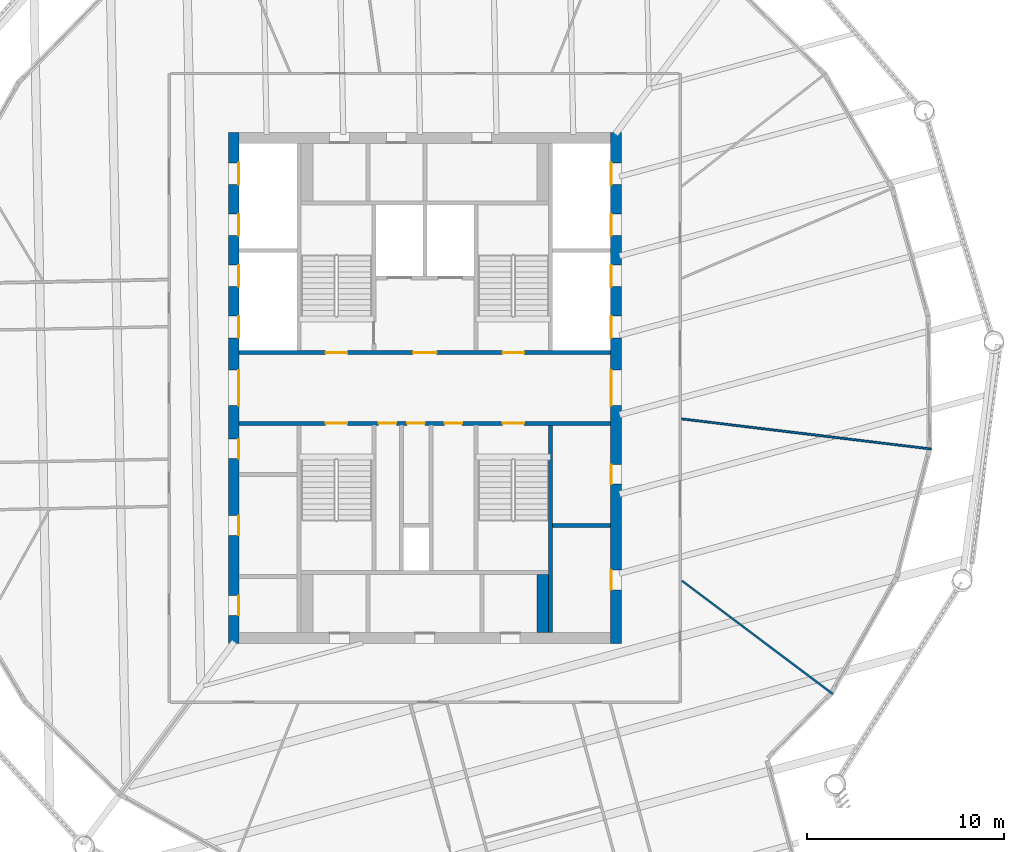
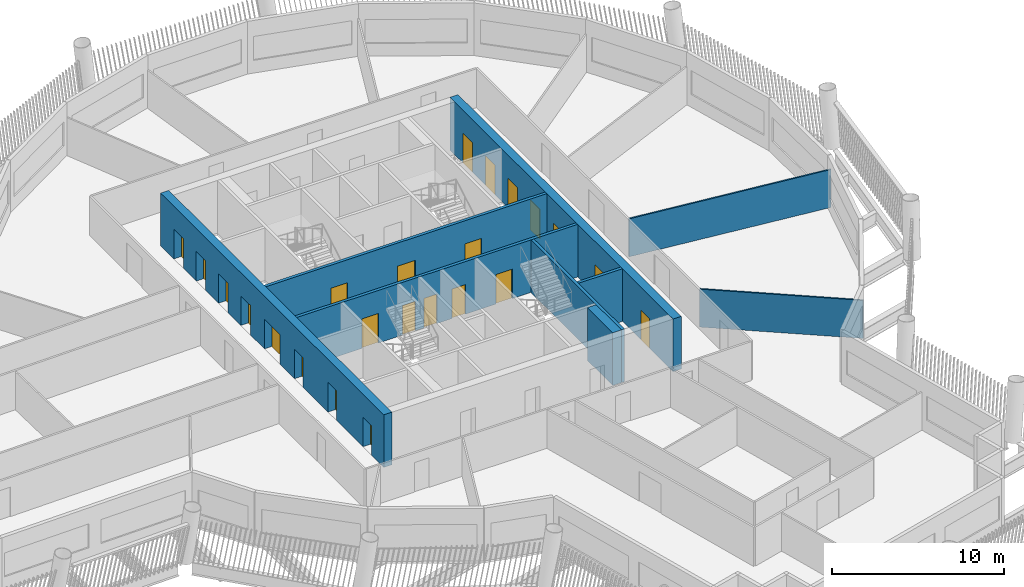
# One storey, part 5 of 15: 23 doors, 9 walls, 23 openings.
"""IFC4 building model written with IfcOpenShell, lengths in metres."""

import ifcopenshell
import ifcopenshell.guid

model = None  # the IFC model being written
_history = None  # IfcOwnerHistory: only IFC2X3 demands one
_inside = {}  # id of a spatial element -> (the spatial element, [elements in it])
_under = {}  # id of a project, library or spatial element -> (it, [spatial elements below it])
_declared = {}  # id of a project -> (the project, [libraries it declares])
_typed = {}  # id of a type object -> (the type object, [elements of that type])
_made_of = {}  # id of a material, layer set ... -> (it, [elements and type objects made of it])


def new_model(schema):
    """Start an empty IFC model of exactly this schema.

    Asked for "IFC4X3", IfcOpenShell would pick the latest addendum, in which some entities
    have other attributes; the version numbers below select the first issue.
    IFC2X3 requires an IfcOwnerHistory on every rooted entity: one is made here for all.
    """
    global model, _history
    if schema == "IFC4X3":
        model = ifcopenshell.file(schema_version=(4, 3, 0, 0))
    else:
        model = ifcopenshell.file(schema=schema)
    _inside.clear()
    _under.clear()
    _declared.clear()
    _typed.clear()
    _made_of.clear()
    _history = None
    if model.schema == "IFC2X3":
        org = make("IfcOrganization", Name="unknown")
        user = make(
            "IfcPersonAndOrganization",
            ThePerson=make("IfcPerson", FamilyName="unknown"),
            TheOrganization=org,
        )
        app = make(
            "IfcApplication",
            ApplicationDeveloper=org,
            Version="unknown",
            ApplicationFullName="unknown",
            ApplicationIdentifier="unknown",
        )
        _history = make(
            "IfcOwnerHistory",
            OwningUser=user,
            OwningApplication=app,
            ChangeAction="ADDED",
            CreationDate=0,
        )
    return model


def make(cls, **values):
    """One entity of the class cls with the attributes given. An attribute that is None is left unset."""
    return model.create_entity(
        cls, **{name: value for name, value in values.items() if value is not None}
    )


def rooted(cls, **values):
    """An entity with a GlobalId (a new one), such as an element, a storey or a relation."""
    return make(cls, GlobalId=ifcopenshell.guid.new(), OwnerHistory=_history, **values)


def si_unit(unit_type, name, prefix=None):
    """IfcSIUnit, for example si_unit("LENGTHUNIT", "METRE", prefix="MILLI")."""
    return make("IfcSIUnit", UnitType=unit_type, Prefix=prefix, Name=name)


def assignment(units):
    """IfcUnitAssignment: the units of a project."""
    return None if units is None else make("IfcUnitAssignment", Units=units)


def point(xyz):
    """IfcCartesianPoint."""
    return None if xyz is None else make("IfcCartesianPoint", Coordinates=xyz)


def direction(xyz):
    """IfcDirection."""
    return None if xyz is None else make("IfcDirection", DirectionRatios=xyz)


def frame(location, z_axis=None, x_axis=None):
    """IfcAxis2Placement3D, a coordinate frame: its origin and axes. An axis left out is left unset."""
    return make(
        "IfcAxis2Placement3D",
        Location=point(location),
        Axis=direction(z_axis),
        RefDirection=direction(x_axis),
    )


def frame_2d(location, x_axis=None):
    """IfcAxis2Placement2D, a coordinate frame in the plane: its origin and x axis."""
    return make(
        "IfcAxis2Placement2D", Location=point(location), RefDirection=direction(x_axis)
    )


def origin():
    """The frame at (0, 0, 0) with its axes left unset."""
    return frame((0.0, 0.0, 0.0))


def place(relative_to, where):
    """IfcLocalPlacement: puts the frame where relative to a parent placement (None: the world)."""
    return make(
        "IfcLocalPlacement", PlacementRelTo=relative_to, RelativePlacement=where
    )


def context(
    kind, dimensions, precision=None, world=None, true_north=None, identifier=None
):
    """IfcGeometricRepresentationContext, for example the 3D "Model" context."""
    return make(
        "IfcGeometricRepresentationContext",
        ContextIdentifier=identifier,
        ContextType=kind,
        CoordinateSpaceDimension=dimensions,
        Precision=precision,
        WorldCoordinateSystem=world,
        TrueNorth=true_north,
    )


def subcontext(parent, identifier, kind, view, scale=None):
    """IfcGeometricRepresentationSubContext, for example "Body" below "Model"."""
    return make(
        "IfcGeometricRepresentationSubContext",
        ContextIdentifier=identifier,
        ContextType=kind,
        ParentContext=parent,
        TargetScale=scale,
        TargetView=view,
    )


def project(units=None, contexts=None):
    """IfcProject with its units and contexts."""
    return rooted(
        "IfcProject",
        Name="project",
        RepresentationContexts=contexts,
        UnitsInContext=assignment(units),
    )


def spatial(cls, under=None, at=None, **own):
    """A site, building, storey or space (cls), placed at a placement, below another one or the project."""
    s = rooted(cls, ObjectPlacement=at, **own)
    if under is not None:
        _under.setdefault(under.id(), (under, []))[1].append(s)
    return s


def profile(cls, at=None, kind="AREA", **sizes):
    """A parametric profile (cls). Its sizes go by their IFC names, for example OverallWidth=200.0."""
    return make(cls, ProfileType=kind, Position=at, **sizes)


def rectangle(**sizes):
    """IfcRectangleProfileDef."""
    return profile("IfcRectangleProfileDef", **sizes)


def extrude(swept, where, along, depth):
    """IfcExtrudedAreaSolid: the profile swept, set in the frame where, extruded along a direction by depth."""
    return make(
        "IfcExtrudedAreaSolid",
        SweptArea=swept,
        Position=where,
        ExtrudedDirection=direction(along),
        Depth=depth,
    )


def shape(context_of_items, identifier, shape_type, items):
    """IfcShapeRepresentation: the items that make up one representation, for example the "Body"."""
    return make(
        "IfcShapeRepresentation",
        ContextOfItems=context_of_items,
        RepresentationIdentifier=identifier,
        RepresentationType=shape_type,
        Items=items,
    )


def material(Name=None, Category=None):
    """IfcMaterial."""
    return make("IfcMaterial", Name=Name, Category=Category)


def layer(
    of_material, thickness, ventilated=None, Name=None, Category=None, Priority=None
):
    """IfcMaterialLayer: one layer of a wall or slab, of a material (None: an air gap)."""
    return make(
        "IfcMaterialLayer",
        Material=of_material,
        LayerThickness=thickness,
        IsVentilated=ventilated,
        Name=Name,
        Category=Category,
        Priority=Priority,
    )


def layer_set(layers, Name=None):
    """IfcMaterialLayerSet."""
    return make("IfcMaterialLayerSet", MaterialLayers=layers, LayerSetName=Name)


def made_of(thing, what):
    """Note that an element or type object is made of a material, layer set ...; save() writes the relation."""
    if what is not None:
        _made_of.setdefault(what.id(), (what, []))[1].append(thing)
    return thing


def type_object(cls, material=None, **own):
    """A type object (cls), such as IfcWallType, which elements share."""
    return made_of(rooted(cls, **own), material)


def element(
    cls,
    number,
    at=None,
    inside=None,
    cuts=None,
    type_object=None,
    material=None,
    context=None,
    identifier="Body",
    shape_type=None,
    held_by="IfcProductDefinitionShape",
    body=None,
    shapes=None,
    **own,
):
    """One element of the class cls, such as IfcWall. Its Tag is "e" and its number.

    at: its placement. inside: the storey or other place that contains it. cuts: it is an
    opening in that element (IfcRelVoidsElement). A single representation is given by context,
    identifier, shape_type and body (its items); several are given by shapes. held_by: the class
    of the entity that holds the representations. save() writes the other relations.
    """
    e = rooted(cls, Tag="e%d" % number, ObjectPlacement=at, **own)
    if body is not None:
        shapes = [shape(context, identifier, shape_type, body)]
    if shapes is not None:
        e.Representation = make(held_by, Representations=shapes)
    if inside is not None:
        _inside.setdefault(inside.id(), (inside, []))[1].append(e)
    if cuts is not None:
        rooted(
            "IfcRelVoidsElement", RelatingBuildingElement=cuts, RelatedOpeningElement=e
        )
    if type_object is not None:
        _typed.setdefault(type_object.id(), (type_object, []))[1].append(e)
    return made_of(e, material)


def fill(opening, filler):
    """IfcRelFillsElement: the door or window that sits in an opening."""
    return rooted(
        "IfcRelFillsElement",
        RelatingOpeningElement=opening,
        RelatedBuildingElement=filler,
    )


def aggregate(whole, parts):
    """IfcRelAggregates: a whole, such as a stair, and the parts it consists of."""
    return rooted("IfcRelAggregates", RelatingObject=whole, RelatedObjects=parts)


def save(model, path):
    """Write the relations noted so far, then the file.

    IfcRelAggregates (storeys below a building ...), IfcRelContainedInSpatialStructure (elements
    in a storey), IfcRelDefinesByType, IfcRelAssociatesMaterial and IfcRelDeclares: one each for
    every whole, place, type object, material and project.
    """
    for whole, parts in _under.values():
        aggregate(whole, parts)
    for where, things in _inside.values():
        rooted(
            "IfcRelContainedInSpatialStructure",
            RelatedElements=things,
            RelatingStructure=where,
        )
    for kind, things in _typed.values():
        rooted("IfcRelDefinesByType", RelatedObjects=things, RelatingType=kind)
    for what, things in _made_of.values():
        rooted("IfcRelAssociatesMaterial", RelatedObjects=things, RelatingMaterial=what)
    for by, libraries in _declared.values():
        rooted("IfcRelDeclares", RelatingContext=by, RelatedDefinitions=libraries)
    model.write(path)


model = new_model("IFC4")

# Units and contexts
model_context = context("Model", 3, precision=1e-05, world=origin(), true_north=direction((0.0, 1.0)))
body_context = subcontext(model_context, "Body", "Model", "MODEL_VIEW")
ifc_project = project(units=[si_unit("LENGTHUNIT", "METRE"), si_unit("AREAUNIT", "SQUARE_METRE"), si_unit("VOLUMEUNIT", "CUBIC_METRE"), si_unit("PLANEANGLEUNIT", "RADIAN"), si_unit("MASSUNIT", "GRAM", prefix="KILO")], contexts=[model_context])

# Site, building, storey
site_placement = place(None, origin())
site = spatial("IfcSite", under=ifc_project, at=site_placement, CompositionType="ELEMENT")
building_placement = place(site_placement, origin())
building = spatial("IfcBuilding", under=site, at=building_placement, Name="Tarsis Ring Headquarters", CompositionType="ELEMENT")
storey_placement = place(building_placement, frame((0.0, 0.0, 290.300048828125)))
storey = spatial("IfcBuildingStorey", under=building, at=storey_placement, Name="L68", CompositionType="ELEMENT", Elevation=290.300048828125)

# Wall
ifc_material_1 = material(Name="Blockwork", Category="masonry")
ifc_layer_1 = layer(ifc_material_1, 0.199951171875)
ifc_layer_set_1 = layer_set([ifc_layer_1], Name="Core blockwork wall 200")
wall_type_1 = type_object("IfcWallType", Name="Core blockwork wall 200", PredefinedType="PARTITIONING", material=ifc_layer_set_1)
wall_1_placement = place(storey_placement, frame((6.5, -7.0, 0.0), z_axis=(0.0, 0.0, 1.0), x_axis=(1.0, 0.0, 0.0)))
element("IfcWall", 1, at=wall_1_placement, inside=storey, type_object=wall_type_1, Name="Core partition ED2", PredefinedType="PARTITIONING", context=body_context, shape_type="SweptSolid", body=[
    extrude(rectangle(XDim=2.949951171875, YDim=0.199951171875, at=frame_2d((1.47509765625, 0.0))), origin(), (0.0, 0.0, 1.0), 3.739990234375),
])

# Wall, openings, doors
ifc_material_2 = material(Name="Concrete C50/60", Category="concrete")
ifc_layer_2 = layer(ifc_material_2, 0.550048828125)
ifc_layer_set_2 = layer_set([ifc_layer_2], Name="Core wall 550 C50/60")
wall_type_2 = type_object("IfcWallType", Name="Core wall 550 C50/60", PredefinedType="SHEAR", material=ifc_layer_set_2)
wall_2_placement = place(storey_placement, frame((-9.72509765625, -13.0, 0.0), z_axis=(0.0, 0.0, 1.0), x_axis=(0.0, 1.0, 0.0)))
wall_2 = element("IfcWall", 2, at=wall_2_placement, inside=storey, type_object=wall_type_2, Name="Core wall OW", PredefinedType="SHEAR", context=body_context, shape_type="SweptSolid", body=[
    extrude(rectangle(XDim=26.0, YDim=0.550048828125, at=frame_2d((13.0, 0.0))), origin(), (0.0, 0.0, 1.0), 3.739990234375),
])
opening_1_placement = place(wall_2_placement, frame((1.425048828125, 0.0, 0.0)))
opening_1 = element("IfcOpeningElement", 3, at=opening_1_placement, cuts=wall_2, Name="Opening L68-C01", PredefinedType="OPENING", context=body_context, shape_type="SweptSolid", body=[
    extrude(rectangle(XDim=1.0, YDim=2.10009765625, at=frame_2d((0.5, 1.050048828125))), frame((0.0, 0.284912109375, 0.0), z_axis=(0.0, -1.0, 0.0), x_axis=(1.0, 0.0, 0.0)), (0.0, 0.0, 1.0), 0.570068359375),
])
opening_2_placement = place(wall_2_placement, frame((5.5, 0.0, 0.0)))
opening_2 = element("IfcOpeningElement", 4, at=opening_2_placement, cuts=wall_2, Name="Opening L68-C02", PredefinedType="OPENING", context=body_context, shape_type="SweptSolid", body=[
    extrude(rectangle(XDim=1.0, YDim=2.10009765625, at=frame_2d((0.5, 1.050048828125))), frame((0.0, 0.284912109375, 0.0), z_axis=(0.0, -1.0, 0.0), x_axis=(1.0, 0.0, 0.0)), (0.0, 0.0, 1.0), 0.570068359375),
])
opening_3_placement = place(wall_2_placement, frame((9.39990234375, 0.0, 0.0)))
opening_3 = element("IfcOpeningElement", 5, at=opening_3_placement, cuts=wall_2, Name="Opening L68-C03", PredefinedType="OPENING", context=body_context, shape_type="SweptSolid", body=[
    extrude(rectangle(XDim=1.0, YDim=2.10009765625, at=frame_2d((0.5, 1.050048828125))), frame((0.0, 0.284912109375, 0.0), z_axis=(0.0, -1.0, 0.0), x_axis=(1.0, 0.0, 0.0)), (0.0, 0.0, 1.0), 0.570068359375),
])
opening_4_placement = place(wall_2_placement, frame((12.10009765625, 0.0, 0.0)))
opening_4 = element("IfcOpeningElement", 6, at=opening_4_placement, cuts=wall_2, Name="Opening L68-C04", PredefinedType="OPENING", context=body_context, shape_type="SweptSolid", body=[
    extrude(rectangle(XDim=1.800048828125, YDim=2.10009765625, at=frame_2d((0.89990234375, 1.050048828125))), frame((0.0, 0.284912109375, 0.0), z_axis=(0.0, -1.0, 0.0), x_axis=(1.0, 0.0, 0.0)), (0.0, 0.0, 1.0), 0.570068359375),
])
opening_5_placement = place(wall_2_placement, frame((15.550048828125, 0.0, 0.0)))
opening_5 = element("IfcOpeningElement", 7, at=opening_5_placement, cuts=wall_2, Name="Opening LD-HR1", PredefinedType="OPENING", context=body_context, shape_type="SweptSolid", body=[
    extrude(rectangle(XDim=1.10009765625, YDim=2.10009765625, at=frame_2d((0.550048828125, 1.050048828125))), frame((0.0, 0.284912109375, 0.0), z_axis=(0.0, -1.0, 0.0), x_axis=(1.0, 0.0, 0.0)), (0.0, 0.0, 1.0), 0.570068359375),
])
opening_6_placement = place(wall_2_placement, frame((18.14990234375, 0.0, 0.0)))
opening_6 = element("IfcOpeningElement", 8, at=opening_6_placement, cuts=wall_2, Name="Opening LD-HR2", PredefinedType="OPENING", context=body_context, shape_type="SweptSolid", body=[
    extrude(rectangle(XDim=1.10009765625, YDim=2.10009765625, at=frame_2d((0.550048828125, 1.050048828125))), frame((0.0, 0.284912109375, 0.0), z_axis=(0.0, -1.0, 0.0), x_axis=(1.0, 0.0, 0.0)), (0.0, 0.0, 1.0), 0.570068359375),
])
opening_7_placement = place(wall_2_placement, frame((20.75, 0.0, 0.0)))
opening_7 = element("IfcOpeningElement", 9, at=opening_7_placement, cuts=wall_2, Name="Opening LD-HR3", PredefinedType="OPENING", context=body_context, shape_type="SweptSolid", body=[
    extrude(rectangle(XDim=1.10009765625, YDim=2.10009765625, at=frame_2d((0.550048828125, 1.050048828125))), frame((0.0, 0.284912109375, 0.0), z_axis=(0.0, -1.0, 0.0), x_axis=(1.0, 0.0, 0.0)), (0.0, 0.0, 1.0), 0.570068359375),
])
opening_8_placement = place(wall_2_placement, frame((23.35009765625, 0.0, 0.0)))
opening_8 = element("IfcOpeningElement", 10, at=opening_8_placement, cuts=wall_2, Name="Opening LD-HR4", PredefinedType="OPENING", context=body_context, shape_type="SweptSolid", body=[
    extrude(rectangle(XDim=1.10009765625, YDim=2.10009765625, at=frame_2d((0.550048828125, 1.050048828125))), frame((0.0, 0.284912109375, 0.0), z_axis=(0.0, -1.0, 0.0), x_axis=(1.0, 0.0, 0.0)), (0.0, 0.0, 1.0), 0.570068359375),
])
ifc_material_3 = material(Name="Steel S355", Category="steel")
door_type_1 = type_object("IfcDoorType", Name="Core entry door 1800x2100", OperationType="DOUBLE_DOOR_SINGLE_SWING", PredefinedType="DOOR", material=ifc_material_3)
door_1_placement = place(opening_4_placement, origin())
door_1 = element("IfcDoor", 11, at=door_1_placement, inside=storey, type_object=door_type_1, Name="Core entry door L68", OperationType="DOUBLE_DOOR_SINGLE_SWING", OverallHeight=2.10009765625, OverallWidth=1.800048828125, PredefinedType="DOOR", context=body_context, shape_type="SweptSolid", body=[
    extrude(rectangle(XDim=1.800048828125, YDim=2.10009765625, at=frame_2d((0.89990234375, 1.050048828125))), frame((0.0, -0.22509765625, 0.0), z_axis=(0.0, -1.0, 0.0), x_axis=(1.0, 0.0, 0.0)), (0.0, 0.0, 1.0), 0.050048828125),
])
fill(opening_4, door_1)
door_type_2 = type_object("IfcDoorType", Name="Core room door 1000x2100", OperationType="SINGLE_SWING_LEFT", PredefinedType="DOOR", material=ifc_material_3)
door_2_placement = place(opening_1_placement, origin())
door_2 = element("IfcDoor", 12, at=door_2_placement, inside=storey, type_object=door_type_2, Name="Core room door L68", OperationType="SINGLE_SWING_LEFT", OverallHeight=2.10009765625, OverallWidth=1.0, PredefinedType="DOOR", context=body_context, shape_type="SweptSolid", body=[
    extrude(rectangle(XDim=1.0, YDim=2.10009765625, at=frame_2d((0.5, 1.050048828125))), frame((0.0, -0.22509765625, 0.0), z_axis=(0.0, -1.0, 0.0), x_axis=(1.0, 0.0, 0.0)), (0.0, 0.0, 1.0), 0.050048828125),
])
fill(opening_1, door_2)
door_3_placement = place(opening_2_placement, origin())
door_3 = element("IfcDoor", 13, at=door_3_placement, inside=storey, type_object=door_type_2, Name="Core room door L68", OperationType="SINGLE_SWING_LEFT", OverallHeight=2.10009765625, OverallWidth=1.0, PredefinedType="DOOR", context=body_context, shape_type="SweptSolid", body=[
    extrude(rectangle(XDim=1.0, YDim=2.10009765625, at=frame_2d((0.5, 1.050048828125))), frame((0.0, -0.22509765625, 0.0), z_axis=(0.0, -1.0, 0.0), x_axis=(1.0, 0.0, 0.0)), (0.0, 0.0, 1.0), 0.050048828125),
])
fill(opening_2, door_3)
door_4_placement = place(opening_3_placement, origin())
door_4 = element("IfcDoor", 14, at=door_4_placement, inside=storey, type_object=door_type_2, Name="Core room door L68", OperationType="SINGLE_SWING_LEFT", OverallHeight=2.10009765625, OverallWidth=1.0, PredefinedType="DOOR", context=body_context, shape_type="SweptSolid", body=[
    extrude(rectangle(XDim=1.0, YDim=2.10009765625, at=frame_2d((0.5, 1.050048828125))), frame((0.0, -0.22509765625, 0.0), z_axis=(0.0, -1.0, 0.0), x_axis=(1.0, 0.0, 0.0)), (0.0, 0.0, 1.0), 0.050048828125),
])
fill(opening_3, door_4)
door_type_3 = type_object("IfcDoorType", Name="Landing door 1100x2100", OperationType="SLIDING_TO_LEFT", PredefinedType="DOOR", material=ifc_material_3)
door_5_placement = place(opening_5_placement, origin())
door_5 = element("IfcDoor", 15, at=door_5_placement, inside=storey, type_object=door_type_3, Name="Landing door HR1 L68", OperationType="SLIDING_TO_LEFT", OverallHeight=2.10009765625, OverallWidth=1.10009765625, PredefinedType="DOOR", context=body_context, shape_type="SweptSolid", body=[
    extrude(rectangle(XDim=1.10009765625, YDim=2.10009765625, at=frame_2d((0.550048828125, 1.050048828125))), frame((0.0, -0.22509765625, 0.0), z_axis=(0.0, -1.0, 0.0), x_axis=(1.0, 0.0, 0.0)), (0.0, 0.0, 1.0), 0.050048828125),
])
fill(opening_5, door_5)
door_6_placement = place(opening_6_placement, origin())
door_6 = element("IfcDoor", 16, at=door_6_placement, inside=storey, type_object=door_type_3, Name="Landing door HR2 L68", OperationType="SLIDING_TO_LEFT", OverallHeight=2.10009765625, OverallWidth=1.10009765625, PredefinedType="DOOR", context=body_context, shape_type="SweptSolid", body=[
    extrude(rectangle(XDim=1.10009765625, YDim=2.10009765625, at=frame_2d((0.550048828125, 1.050048828125))), frame((0.0, -0.22509765625, 0.0), z_axis=(0.0, -1.0, 0.0), x_axis=(1.0, 0.0, 0.0)), (0.0, 0.0, 1.0), 0.050048828125),
])
fill(opening_6, door_6)
door_7_placement = place(opening_7_placement, origin())
door_7 = element("IfcDoor", 17, at=door_7_placement, inside=storey, type_object=door_type_3, Name="Landing door HR3 L68", OperationType="SLIDING_TO_LEFT", OverallHeight=2.10009765625, OverallWidth=1.10009765625, PredefinedType="DOOR", context=body_context, shape_type="SweptSolid", body=[
    extrude(rectangle(XDim=1.10009765625, YDim=2.10009765625, at=frame_2d((0.550048828125, 1.050048828125))), frame((0.0, -0.22509765625, 0.0), z_axis=(0.0, -1.0, 0.0), x_axis=(1.0, 0.0, 0.0)), (0.0, 0.0, 1.0), 0.050048828125),
])
fill(opening_7, door_7)
door_8_placement = place(opening_8_placement, origin())
door_8 = element("IfcDoor", 18, at=door_8_placement, inside=storey, type_object=door_type_3, Name="Landing door HR4 L68", OperationType="SLIDING_TO_LEFT", OverallHeight=2.10009765625, OverallWidth=1.10009765625, PredefinedType="DOOR", context=body_context, shape_type="SweptSolid", body=[
    extrude(rectangle(XDim=1.10009765625, YDim=2.10009765625, at=frame_2d((0.550048828125, 1.050048828125))), frame((0.0, -0.22509765625, 0.0), z_axis=(0.0, -1.0, 0.0), x_axis=(1.0, 0.0, 0.0)), (0.0, 0.0, 1.0), 0.050048828125),
])
fill(opening_8, door_8)

wall_3_placement = place(storey_placement, frame((9.72509765625, -13.0, 0.0), z_axis=(0.0, 0.0, 1.0), x_axis=(0.0, 1.0, 0.0)))
wall_3 = element("IfcWall", 19, at=wall_3_placement, inside=storey, type_object=wall_type_2, Name="Core wall OE", PredefinedType="SHEAR", context=body_context, shape_type="SweptSolid", body=[
    extrude(rectangle(XDim=26.0, YDim=0.550048828125, at=frame_2d((13.0, 0.0))), origin(), (0.0, 0.0, 1.0), 3.739990234375),
])
opening_9_placement = place(wall_3_placement, frame((2.72509765625, 0.0, 0.0)))
opening_9 = element("IfcOpeningElement", 20, at=opening_9_placement, cuts=wall_3, Name="Opening L68-C09", PredefinedType="OPENING", context=body_context, shape_type="SweptSolid", body=[
    extrude(rectangle(XDim=1.0, YDim=2.10009765625, at=frame_2d((0.5, 1.050048828125))), frame((0.0, 0.284912109375, 0.0), z_axis=(0.0, -1.0, 0.0), x_axis=(1.0, 0.0, 0.0)), (0.0, 0.0, 1.0), 0.570068359375),
])
opening_10_placement = place(wall_3_placement, frame((8.10009765625, 0.0, 0.0)))
opening_10 = element("IfcOpeningElement", 21, at=opening_10_placement, cuts=wall_3, Name="Opening L68-C10", PredefinedType="OPENING", context=body_context, shape_type="SweptSolid", body=[
    extrude(rectangle(XDim=1.0, YDim=2.10009765625, at=frame_2d((0.5, 1.050048828125))), frame((0.0, 0.284912109375, 0.0), z_axis=(0.0, -1.0, 0.0), x_axis=(1.0, 0.0, 0.0)), (0.0, 0.0, 1.0), 0.570068359375),
])
opening_11_placement = place(wall_3_placement, frame((12.10009765625, 0.0, 0.0)))
opening_11 = element("IfcOpeningElement", 22, at=opening_11_placement, cuts=wall_3, Name="Opening L68-C11", PredefinedType="OPENING", context=body_context, shape_type="SweptSolid", body=[
    extrude(rectangle(XDim=1.800048828125, YDim=2.10009765625, at=frame_2d((0.89990234375, 1.050048828125))), frame((0.0, 0.284912109375, 0.0), z_axis=(0.0, -1.0, 0.0), x_axis=(1.0, 0.0, 0.0)), (0.0, 0.0, 1.0), 0.570068359375),
])
opening_12_placement = place(wall_3_placement, frame((15.550048828125, 0.0, 0.0)))
opening_12 = element("IfcOpeningElement", 23, at=opening_12_placement, cuts=wall_3, Name="Opening LD-HR5", PredefinedType="OPENING", context=body_context, shape_type="SweptSolid", body=[
    extrude(rectangle(XDim=1.10009765625, YDim=2.10009765625, at=frame_2d((0.550048828125, 1.050048828125))), frame((0.0, 0.284912109375, 0.0), z_axis=(0.0, -1.0, 0.0), x_axis=(1.0, 0.0, 0.0)), (0.0, 0.0, 1.0), 0.570068359375),
])
opening_13_placement = place(wall_3_placement, frame((18.14990234375, 0.0, 0.0)))
opening_13 = element("IfcOpeningElement", 24, at=opening_13_placement, cuts=wall_3, Name="Opening LD-HR6", PredefinedType="OPENING", context=body_context, shape_type="SweptSolid", body=[
    extrude(rectangle(XDim=1.10009765625, YDim=2.10009765625, at=frame_2d((0.550048828125, 1.050048828125))), frame((0.0, 0.284912109375, 0.0), z_axis=(0.0, -1.0, 0.0), x_axis=(1.0, 0.0, 0.0)), (0.0, 0.0, 1.0), 0.570068359375),
])
opening_14_placement = place(wall_3_placement, frame((20.75, 0.0, 0.0)))
opening_14 = element("IfcOpeningElement", 25, at=opening_14_placement, cuts=wall_3, Name="Opening LD-HR7", PredefinedType="OPENING", context=body_context, shape_type="SweptSolid", body=[
    extrude(rectangle(XDim=1.10009765625, YDim=2.10009765625, at=frame_2d((0.550048828125, 1.050048828125))), frame((0.0, 0.284912109375, 0.0), z_axis=(0.0, -1.0, 0.0), x_axis=(1.0, 0.0, 0.0)), (0.0, 0.0, 1.0), 0.570068359375),
])
opening_15_placement = place(wall_3_placement, frame((23.35009765625, 0.0, 0.0)))
opening_15 = element("IfcOpeningElement", 26, at=opening_15_placement, cuts=wall_3, Name="Opening LD-HR8", PredefinedType="OPENING", context=body_context, shape_type="SweptSolid", body=[
    extrude(rectangle(XDim=1.10009765625, YDim=2.10009765625, at=frame_2d((0.550048828125, 1.050048828125))), frame((0.0, 0.284912109375, 0.0), z_axis=(0.0, -1.0, 0.0), x_axis=(1.0, 0.0, 0.0)), (0.0, 0.0, 1.0), 0.570068359375),
])
door_9_placement = place(opening_11_placement, origin())
door_9 = element("IfcDoor", 27, at=door_9_placement, inside=storey, type_object=door_type_1, Name="Core entry door L68", OperationType="DOUBLE_DOOR_SINGLE_SWING", OverallHeight=2.10009765625, OverallWidth=1.800048828125, PredefinedType="DOOR", context=body_context, shape_type="SweptSolid", body=[
    extrude(rectangle(XDim=1.800048828125, YDim=2.10009765625, at=frame_2d((0.89990234375, 1.050048828125))), frame((0.0, 0.27490234375, 0.0), z_axis=(0.0, -1.0, 0.0), x_axis=(1.0, 0.0, 0.0)), (0.0, 0.0, 1.0), 0.050048828125),
])
fill(opening_11, door_9)
door_10_placement = place(opening_9_placement, origin())
door_10 = element("IfcDoor", 28, at=door_10_placement, inside=storey, type_object=door_type_2, Name="Core room door L68", OperationType="SINGLE_SWING_LEFT", OverallHeight=2.10009765625, OverallWidth=1.0, PredefinedType="DOOR", context=body_context, shape_type="SweptSolid", body=[
    extrude(rectangle(XDim=1.0, YDim=2.10009765625, at=frame_2d((0.5, 1.050048828125))), frame((0.0, 0.27490234375, 0.0), z_axis=(0.0, -1.0, 0.0), x_axis=(1.0, 0.0, 0.0)), (0.0, 0.0, 1.0), 0.050048828125),
])
fill(opening_9, door_10)
door_11_placement = place(opening_10_placement, origin())
door_11 = element("IfcDoor", 29, at=door_11_placement, inside=storey, type_object=door_type_2, Name="Core room door L68", OperationType="SINGLE_SWING_LEFT", OverallHeight=2.10009765625, OverallWidth=1.0, PredefinedType="DOOR", context=body_context, shape_type="SweptSolid", body=[
    extrude(rectangle(XDim=1.0, YDim=2.10009765625, at=frame_2d((0.5, 1.050048828125))), frame((0.0, 0.27490234375, 0.0), z_axis=(0.0, -1.0, 0.0), x_axis=(1.0, 0.0, 0.0)), (0.0, 0.0, 1.0), 0.050048828125),
])
fill(opening_10, door_11)
door_12_placement = place(opening_12_placement, origin())
door_12 = element("IfcDoor", 30, at=door_12_placement, inside=storey, type_object=door_type_3, Name="Landing door HR5 L68", OperationType="SLIDING_TO_LEFT", OverallHeight=2.10009765625, OverallWidth=1.10009765625, PredefinedType="DOOR", context=body_context, shape_type="SweptSolid", body=[
    extrude(rectangle(XDim=1.10009765625, YDim=2.10009765625, at=frame_2d((0.550048828125, 1.050048828125))), frame((0.0, 0.27490234375, 0.0), z_axis=(0.0, -1.0, 0.0), x_axis=(1.0, 0.0, 0.0)), (0.0, 0.0, 1.0), 0.050048828125),
])
fill(opening_12, door_12)
door_13_placement = place(opening_13_placement, origin())
door_13 = element("IfcDoor", 31, at=door_13_placement, inside=storey, type_object=door_type_3, Name="Landing door HR6 L68", OperationType="SLIDING_TO_LEFT", OverallHeight=2.10009765625, OverallWidth=1.10009765625, PredefinedType="DOOR", context=body_context, shape_type="SweptSolid", body=[
    extrude(rectangle(XDim=1.10009765625, YDim=2.10009765625, at=frame_2d((0.550048828125, 1.050048828125))), frame((0.0, 0.27490234375, 0.0), z_axis=(0.0, -1.0, 0.0), x_axis=(1.0, 0.0, 0.0)), (0.0, 0.0, 1.0), 0.050048828125),
])
fill(opening_13, door_13)
door_14_placement = place(opening_14_placement, origin())
door_14 = element("IfcDoor", 32, at=door_14_placement, inside=storey, type_object=door_type_3, Name="Landing door HR7 L68", OperationType="SLIDING_TO_LEFT", OverallHeight=2.10009765625, OverallWidth=1.10009765625, PredefinedType="DOOR", context=body_context, shape_type="SweptSolid", body=[
    extrude(rectangle(XDim=1.10009765625, YDim=2.10009765625, at=frame_2d((0.550048828125, 1.050048828125))), frame((0.0, 0.27490234375, 0.0), z_axis=(0.0, -1.0, 0.0), x_axis=(1.0, 0.0, 0.0)), (0.0, 0.0, 1.0), 0.050048828125),
])
fill(opening_14, door_14)
door_15_placement = place(opening_15_placement, origin())
door_15 = element("IfcDoor", 33, at=door_15_placement, inside=storey, type_object=door_type_3, Name="Landing door HR8 L68", OperationType="SLIDING_TO_LEFT", OverallHeight=2.10009765625, OverallWidth=1.10009765625, PredefinedType="DOOR", context=body_context, shape_type="SweptSolid", body=[
    extrude(rectangle(XDim=1.10009765625, YDim=2.10009765625, at=frame_2d((0.550048828125, 1.050048828125))), frame((0.0, 0.27490234375, 0.0), z_axis=(0.0, -1.0, 0.0), x_axis=(1.0, 0.0, 0.0)), (0.0, 0.0, 1.0), 0.050048828125),
])
fill(opening_15, door_15)

# Walls
ifc_material_4 = material(Name="Gypsum board on steel studs", Category="steel")
ifc_layer_3 = layer(ifc_material_4, 0.10009765625)
ifc_layer_set_3 = layer_set([ifc_layer_3], Name="FL partition 100 unrated")
wall_type_3 = type_object("IfcWallType", Name="FL partition 100 unrated", PredefinedType="PARTITIONING", material=ifc_layer_set_3)
wall_4_placement = place(storey_placement, frame((13.069580078125, -1.576904296875, 0.0), z_axis=(0.0, 0.0, 1.0), x_axis=(0.992797728032, -0.119802634425, 0.0)))
element("IfcWall", 34, at=wall_4_placement, inside=storey, type_object=wall_type_3, Name="Partition PW3", PredefinedType="PARTITIONING", context=body_context, shape_type="SweptSolid", body=[
    extrude(rectangle(XDim=12.783447265625, YDim=0.10009765625, at=frame_2d((6.3916015625, 0.0))), origin(), (0.0, 0.0, 1.0), 2.699951171875),
])
wall_5_placement = place(storey_placement, frame((13.080078125, -9.813720703125, 0.0), z_axis=(0.0, 0.0, 1.0), x_axis=(0.799893127961, -0.600142469619, 0.0)))
element("IfcWall", 35, at=wall_5_placement, inside=storey, type_object=wall_type_3, Name="Partition PW3", PredefinedType="PARTITIONING", context=body_context, shape_type="SweptSolid", body=[
    extrude(rectangle(XDim=9.595703125, YDim=0.10009765625, at=frame_2d((4.7978515625, 0.0))), origin(), (0.0, 0.0, 1.0), 2.699951171875),
])
ifc_material_5 = material(Name="Concrete C32/40", Category="concrete")
ifc_layer_4 = layer(ifc_material_5, 0.60009765625)
ifc_layer_set_4 = layer_set([ifc_layer_4], Name="Shaft end wall 600 C32/40")
wall_type_4 = type_object("IfcWallType", Name="Shaft end wall 600 C32/40", PredefinedType="SOLIDWALL", material=ifc_layer_set_4)
wall_6_placement = place(storey_placement, frame((6.0, -12.449951171875, 0.0), z_axis=(0.0, 0.0, 1.0), x_axis=(0.0, 1.0, 0.0)))
element("IfcWall", 36, at=wall_6_placement, inside=storey, type_object=wall_type_4, Name="Core shaft wall SNE2", PredefinedType="SOLIDWALL", context=body_context, shape_type="SweptSolid", body=[
    extrude(rectangle(XDim=2.949951171875, YDim=0.60009765625, at=frame_2d((1.47509765625, 0.0))), origin(), (0.0, 0.0, 1.0), 3.739990234375),
])

# Wall, openings, doors
ifc_layer_5 = layer(ifc_material_5, 0.199951171875)
ifc_layer_set_5 = layer_set([ifc_layer_5], Name="Shaft wall 200 C32/40")
wall_type_5 = type_object("IfcWallType", Name="Shaft wall 200 C32/40", PredefinedType="SOLIDWALL", material=ifc_layer_set_5)
wall_7_placement = place(storey_placement, frame((-9.449951171875, 1.800048828125, 0.0), z_axis=(0.0, 0.0, 1.0), x_axis=(1.0, 0.0, 0.0)))
wall_7 = element("IfcWall", 37, at=wall_7_placement, inside=storey, type_object=wall_type_5, Name="Core shaft wall CN", PredefinedType="SOLIDWALL", context=body_context, shape_type="SweptSolid", body=[
    extrude(rectangle(XDim=18.89990234375, YDim=0.199951171875, at=frame_2d((9.449951171875, 0.0))), origin(), (0.0, 0.0, 1.0), 3.739990234375),
])
opening_16_placement = place(wall_7_placement, frame((4.39990234375, 0.0, 0.0)))
opening_16 = element("IfcOpeningElement", 38, at=opening_16_placement, cuts=wall_7, Name="Opening L68-C22", PredefinedType="OPENING", context=body_context, shape_type="SweptSolid", body=[
    extrude(rectangle(XDim=1.10009765625, YDim=2.10009765625, at=frame_2d((0.550048828125, 1.050048828125))), frame((0.0, 0.10986328125, 0.0), z_axis=(0.0, -1.0, 0.0), x_axis=(1.0, 0.0, 0.0)), (0.0, 0.0, 1.0), 0.219970703125),
])
opening_17_placement = place(wall_7_placement, frame((8.85009765625, 0.0, 0.0)))
opening_17 = element("IfcOpeningElement", 39, at=opening_17_placement, cuts=wall_7, Name="Opening L68-C23", PredefinedType="OPENING", context=body_context, shape_type="SweptSolid", body=[
    extrude(rectangle(XDim=1.199951171875, YDim=2.10009765625, at=frame_2d((0.60009765625, 1.050048828125))), frame((0.0, 0.10986328125, 0.0), z_axis=(0.0, -1.0, 0.0), x_axis=(1.0, 0.0, 0.0)), (0.0, 0.0, 1.0), 0.219970703125),
])
opening_18_placement = place(wall_7_placement, frame((13.39990234375, 0.0, 0.0)))
opening_18 = element("IfcOpeningElement", 40, at=opening_18_placement, cuts=wall_7, Name="Opening L68-C24", PredefinedType="OPENING", context=body_context, shape_type="SweptSolid", body=[
    extrude(rectangle(XDim=1.10009765625, YDim=2.10009765625, at=frame_2d((0.550048828125, 1.050048828125))), frame((0.0, 0.10986328125, 0.0), z_axis=(0.0, -1.0, 0.0), x_axis=(1.0, 0.0, 0.0)), (0.0, 0.0, 1.0), 0.219970703125),
])
door_type_4 = type_object("IfcDoorType", Name="Firefighting lobby door 1200x2100", OperationType="DOUBLE_DOOR_SINGLE_SWING", PredefinedType="DOOR", material=ifc_material_3)
door_16_placement = place(opening_17_placement, origin())
door_16 = element("IfcDoor", 41, at=door_16_placement, inside=storey, type_object=door_type_4, Name="Firefighting lobby door L68", OperationType="DOUBLE_DOOR_SINGLE_SWING", OverallHeight=2.10009765625, OverallWidth=1.199951171875, PredefinedType="DOOR", context=body_context, shape_type="SweptSolid", body=[
    extrude(rectangle(XDim=1.199951171875, YDim=2.10009765625, at=frame_2d((0.60009765625, 1.050048828125))), frame((0.0, 0.02490234375, 0.0), z_axis=(0.0, -1.0, 0.0), x_axis=(1.0, 0.0, 0.0)), (0.0, 0.0, 1.0), 0.050048828125),
])
fill(opening_17, door_16)
door_type_5 = type_object("IfcDoorType", Name="Stair door 1100x2100", OperationType="SINGLE_SWING_LEFT", PredefinedType="DOOR", material=ifc_material_3)
door_17_placement = place(opening_16_placement, origin())
door_17 = element("IfcDoor", 42, at=door_17_placement, inside=storey, type_object=door_type_5, Name="Stair door L68", OperationType="SINGLE_SWING_LEFT", OverallHeight=2.10009765625, OverallWidth=1.10009765625, PredefinedType="DOOR", context=body_context, shape_type="SweptSolid", body=[
    extrude(rectangle(XDim=1.10009765625, YDim=2.10009765625, at=frame_2d((0.550048828125, 1.050048828125))), frame((0.0, 0.02490234375, 0.0), z_axis=(0.0, -1.0, 0.0), x_axis=(1.0, 0.0, 0.0)), (0.0, 0.0, 1.0), 0.050048828125),
])
fill(opening_16, door_17)
door_18_placement = place(opening_18_placement, origin())
door_18 = element("IfcDoor", 43, at=door_18_placement, inside=storey, type_object=door_type_5, Name="Stair door L68", OperationType="SINGLE_SWING_LEFT", OverallHeight=2.10009765625, OverallWidth=1.10009765625, PredefinedType="DOOR", context=body_context, shape_type="SweptSolid", body=[
    extrude(rectangle(XDim=1.10009765625, YDim=2.10009765625, at=frame_2d((0.550048828125, 1.050048828125))), frame((0.0, 0.02490234375, 0.0), z_axis=(0.0, -1.0, 0.0), x_axis=(1.0, 0.0, 0.0)), (0.0, 0.0, 1.0), 0.050048828125),
])
fill(opening_18, door_18)

wall_8_placement = place(storey_placement, frame((-9.449951171875, -1.800048828125, 0.0), z_axis=(0.0, 0.0, 1.0), x_axis=(1.0, 0.0, 0.0)))
wall_8 = element("IfcWall", 44, at=wall_8_placement, inside=storey, type_object=wall_type_5, Name="Core shaft wall CS", PredefinedType="SOLIDWALL", context=body_context, shape_type="SweptSolid", body=[
    extrude(rectangle(XDim=18.89990234375, YDim=0.199951171875, at=frame_2d((9.449951171875, 0.0))), origin(), (0.0, 0.0, 1.0), 3.739990234375),
])
opening_19_placement = place(wall_8_placement, frame((4.39990234375, 0.0, 0.0)))
opening_19 = element("IfcOpeningElement", 45, at=opening_19_placement, cuts=wall_8, Name="Opening L68-C25", PredefinedType="OPENING", context=body_context, shape_type="SweptSolid", body=[
    extrude(rectangle(XDim=1.10009765625, YDim=2.10009765625, at=frame_2d((0.550048828125, 1.050048828125))), frame((0.0, 0.10986328125, 0.0), z_axis=(0.0, -1.0, 0.0), x_axis=(1.0, 0.0, 0.0)), (0.0, 0.0, 1.0), 0.219970703125),
])
opening_20_placement = place(wall_8_placement, frame((7.10009765625, 0.0, 0.0)))
opening_20 = element("IfcOpeningElement", 46, at=opening_20_placement, cuts=wall_8, Name="Opening L68-C26", PredefinedType="OPENING", context=body_context, shape_type="SweptSolid", body=[
    extrude(rectangle(XDim=0.89990234375, YDim=2.10009765625, at=frame_2d((0.449951171875, 1.050048828125))), frame((0.0, 0.10986328125, 0.0), z_axis=(0.0, -1.0, 0.0), x_axis=(1.0, 0.0, 0.0)), (0.0, 0.0, 1.0), 0.219970703125),
])
opening_21_placement = place(wall_8_placement, frame((8.550048828125, 0.0, 0.0)))
opening_21 = element("IfcOpeningElement", 47, at=opening_21_placement, cuts=wall_8, Name="Opening L68-C27", PredefinedType="OPENING", context=body_context, shape_type="SweptSolid", body=[
    extrude(rectangle(XDim=0.89990234375, YDim=2.10009765625, at=frame_2d((0.449951171875, 1.050048828125))), frame((0.0, 0.10986328125, 0.0), z_axis=(0.0, -1.0, 0.0), x_axis=(1.0, 0.0, 0.0)), (0.0, 0.0, 1.0), 0.219970703125),
])
opening_22_placement = place(wall_8_placement, frame((10.449951171875, 0.0, 0.0)))
opening_22 = element("IfcOpeningElement", 48, at=opening_22_placement, cuts=wall_8, Name="Opening L68-C28", PredefinedType="OPENING", context=body_context, shape_type="SweptSolid", body=[
    extrude(rectangle(XDim=0.89990234375, YDim=2.10009765625, at=frame_2d((0.449951171875, 1.050048828125))), frame((0.0, 0.10986328125, 0.0), z_axis=(0.0, -1.0, 0.0), x_axis=(1.0, 0.0, 0.0)), (0.0, 0.0, 1.0), 0.219970703125),
])
opening_23_placement = place(wall_8_placement, frame((13.39990234375, 0.0, 0.0)))
opening_23 = element("IfcOpeningElement", 49, at=opening_23_placement, cuts=wall_8, Name="Opening L68-C29", PredefinedType="OPENING", context=body_context, shape_type="SweptSolid", body=[
    extrude(rectangle(XDim=1.10009765625, YDim=2.10009765625, at=frame_2d((0.550048828125, 1.050048828125))), frame((0.0, 0.10986328125, 0.0), z_axis=(0.0, -1.0, 0.0), x_axis=(1.0, 0.0, 0.0)), (0.0, 0.0, 1.0), 0.219970703125),
])
door_19_placement = place(opening_19_placement, origin())
door_19 = element("IfcDoor", 50, at=door_19_placement, inside=storey, type_object=door_type_5, Name="Stair door L68", OperationType="SINGLE_SWING_LEFT", OverallHeight=2.10009765625, OverallWidth=1.10009765625, PredefinedType="DOOR", context=body_context, shape_type="SweptSolid", body=[
    extrude(rectangle(XDim=1.10009765625, YDim=2.10009765625, at=frame_2d((0.550048828125, 1.050048828125))), frame((0.0, 0.02490234375, 0.0), z_axis=(0.0, -1.0, 0.0), x_axis=(1.0, 0.0, 0.0)), (0.0, 0.0, 1.0), 0.050048828125),
])
fill(opening_19, door_19)
door_20_placement = place(opening_23_placement, origin())
door_20 = element("IfcDoor", 51, at=door_20_placement, inside=storey, type_object=door_type_5, Name="Stair door L68", OperationType="SINGLE_SWING_LEFT", OverallHeight=2.10009765625, OverallWidth=1.10009765625, PredefinedType="DOOR", context=body_context, shape_type="SweptSolid", body=[
    extrude(rectangle(XDim=1.10009765625, YDim=2.10009765625, at=frame_2d((0.550048828125, 1.050048828125))), frame((0.0, 0.02490234375, 0.0), z_axis=(0.0, -1.0, 0.0), x_axis=(1.0, 0.0, 0.0)), (0.0, 0.0, 1.0), 0.050048828125),
])
fill(opening_23, door_20)
door_type_6 = type_object("IfcDoorType", Name="WC door 900x2100", OperationType="SINGLE_SWING_LEFT", PredefinedType="DOOR", material=ifc_material_3)
door_21_placement = place(opening_20_placement, origin())
door_21 = element("IfcDoor", 52, at=door_21_placement, inside=storey, type_object=door_type_6, Name="WC door L68", OperationType="SINGLE_SWING_LEFT", OverallHeight=2.10009765625, OverallWidth=0.89990234375, PredefinedType="DOOR", context=body_context, shape_type="SweptSolid", body=[
    extrude(rectangle(XDim=0.89990234375, YDim=2.10009765625, at=frame_2d((0.449951171875, 1.050048828125))), frame((0.0, 0.02490234375, 0.0), z_axis=(0.0, -1.0, 0.0), x_axis=(1.0, 0.0, 0.0)), (0.0, 0.0, 1.0), 0.050048828125),
])
fill(opening_20, door_21)
door_22_placement = place(opening_21_placement, origin())
door_22 = element("IfcDoor", 53, at=door_22_placement, inside=storey, type_object=door_type_6, Name="WC door L68", OperationType="SINGLE_SWING_LEFT", OverallHeight=2.10009765625, OverallWidth=0.89990234375, PredefinedType="DOOR", context=body_context, shape_type="SweptSolid", body=[
    extrude(rectangle(XDim=0.89990234375, YDim=2.10009765625, at=frame_2d((0.449951171875, 1.050048828125))), frame((0.0, 0.02490234375, 0.0), z_axis=(0.0, -1.0, 0.0), x_axis=(1.0, 0.0, 0.0)), (0.0, 0.0, 1.0), 0.050048828125),
])
fill(opening_21, door_22)
door_23_placement = place(opening_22_placement, origin())
door_23 = element("IfcDoor", 54, at=door_23_placement, inside=storey, type_object=door_type_6, Name="WC door L68", OperationType="SINGLE_SWING_LEFT", OverallHeight=2.10009765625, OverallWidth=0.89990234375, PredefinedType="DOOR", context=body_context, shape_type="SweptSolid", body=[
    extrude(rectangle(XDim=0.89990234375, YDim=2.10009765625, at=frame_2d((0.449951171875, 1.050048828125))), frame((0.0, 0.02490234375, 0.0), z_axis=(0.0, -1.0, 0.0), x_axis=(1.0, 0.0, 0.0)), (0.0, 0.0, 1.0), 0.050048828125),
])
fill(opening_22, door_23)

# Wall
wall_9_placement = place(storey_placement, frame((6.39990234375, -12.449951171875, 0.0), z_axis=(0.0, 0.0, 1.0), x_axis=(0.0, 1.0, 0.0)))
element("IfcWall", 55, at=wall_9_placement, inside=storey, type_object=wall_type_5, Name="Core shaft wall EB1", PredefinedType="SOLIDWALL", context=body_context, shape_type="SweptSolid", body=[
    extrude(rectangle(XDim=10.550048828125, YDim=0.199951171875, at=frame_2d((5.27490234375, 0.0))), origin(), (0.0, 0.0, 1.0), 3.739990234375),
])

save(model, "model.ifc")
